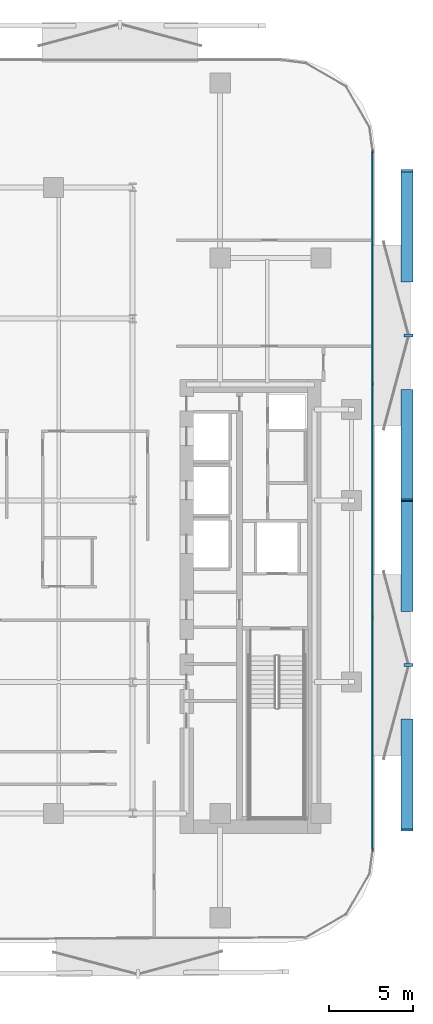
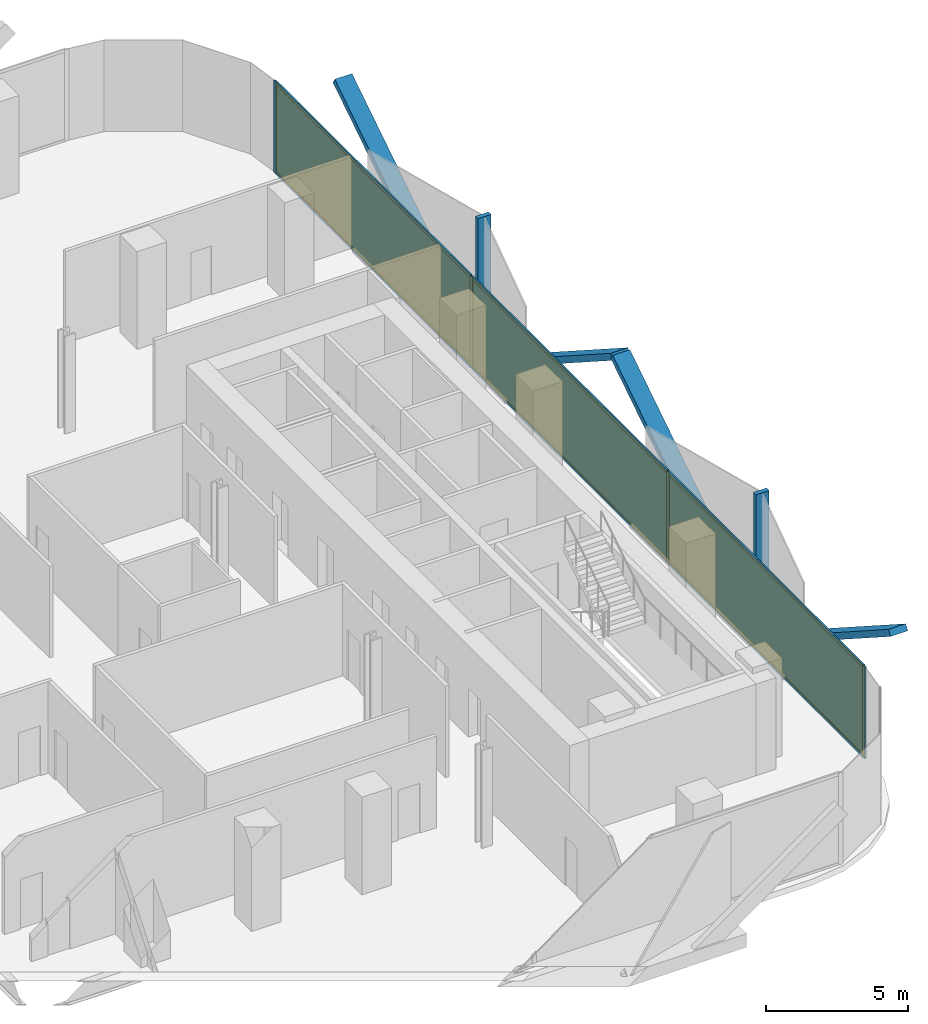
# One storey, part 9 of 15: 16 members, 3 plates, 1 curtain wall.
"""IFC4 building model written with IfcOpenShell, lengths in metres."""

from ifc_helpers import new_model, si_unit, direction, frame, frame_2d, origin, origin_2d, place, context, subcontext, project, spatial, rectangle, extrude, material, layer, layer_set, material_profile, profile_set, type_object, element, aggregate, save


model = new_model("IFC4")

# Units and contexts
model_context = context("Model", 3, precision=1e-05, world=origin(), true_north=direction((0.0, 1.0)))
body_context = subcontext(model_context, "Body", "Model", "MODEL_VIEW")
ifc_project = project(units=[si_unit("LENGTHUNIT", "METRE"), si_unit("AREAUNIT", "SQUARE_METRE"), si_unit("VOLUMEUNIT", "CUBIC_METRE"), si_unit("PLANEANGLEUNIT", "RADIAN"), si_unit("MASSUNIT", "GRAM", prefix="KILO")], contexts=[model_context])

# Member
ifc_material_1 = material(Name="Anodised Bronze Aluminium 6063-T6", Category="aluminium")
ifc_material_profile_1 = material_profile(ifc_material_1, rectangle(XDim=0.260009765625, YDim=0.699951171875, at=origin_2d()))
ifc_profile_set_1 = profile_set([ifc_material_profile_1], Name="Anodised Bronze Aluminium 6063-T6")
member_type_1 = type_object("IfcMemberType", Name="Bronze Diamond Solar-Screen Lattice Rib BDL-700", PredefinedType="MULLION", material=ifc_profile_set_1)
site_placement = place(None, origin())
building_placement = place(site_placement, origin())
storey_placement = place(building_placement, frame((0.0, 0.0, 114.199951171875)))
member_1_placement = place(storey_placement, frame((25.5, 6.5302734375, -0.1298828125), z_axis=(0.0, -0.841066075866, 0.540932395062), x_axis=(0.0, -0.540932395062, -0.841066075866)))
member_1 = element("IfcMember", 1, at=member_1_placement, type_object=member_type_1, Name="L26 Bronze Diamond Solar Screen Lattice Rib 159A", PredefinedType="MULLION", context=body_context, shape_type="SweptSolid", body=[
    extrude(rectangle(XDim=0.260009765625, YDim=0.699951171875, at=origin_2d()), origin(), (0.0, 0.0, 1.0), 7.76416015625),
])

member_2_placement = place(storey_placement, frame((25.5, 13.060546875, -0.1298828125), z_axis=(0.0, 0.841066075866, 0.540932395062), x_axis=(0.0, 0.540932395062, -0.841066075866)))
member_2 = element("IfcMember", 2, at=member_2_placement, type_object=member_type_1, Name="L26 Bronze Diamond Solar Screen Lattice Rib 159B", PredefinedType="MULLION", context=body_context, shape_type="SweptSolid", body=[
    extrude(rectangle(XDim=0.260009765625, YDim=0.699951171875, at=origin_2d()), origin(), (0.0, 0.0, 1.0), 7.76416015625),
])

member_3_placement = place(storey_placement, frame((25.5, -13.060546875, -0.1298828125), z_axis=(0.0, -0.841066075866, 0.540932395062), x_axis=(0.0, -0.540932395062, -0.841066075866)))
member_3 = element("IfcMember", 3, at=member_3_placement, type_object=member_type_1, Name="L26 Bronze Diamond Solar Screen Lattice Rib 160A", PredefinedType="MULLION", context=body_context, shape_type="SweptSolid", body=[
    extrude(rectangle(XDim=0.260009765625, YDim=0.699951171875, at=origin_2d()), origin(), (0.0, 0.0, 1.0), 7.76416015625),
])

member_4_placement = place(storey_placement, frame((25.5, -6.5302734375, -0.1298828125), z_axis=(0.0, 0.841066075866, 0.540932395062), x_axis=(0.0, 0.540932395062, -0.841066075866)))
member_4 = element("IfcMember", 4, at=member_4_placement, type_object=member_type_1, Name="L26 Bronze Diamond Solar Screen Lattice Rib 160B", PredefinedType="MULLION", context=body_context, shape_type="SweptSolid", body=[
    extrude(rectangle(XDim=0.260009765625, YDim=0.699951171875, at=origin_2d()), origin(), (0.0, 0.0, 1.0), 7.76416015625),
])

ifc_material_2 = material(Name="Anodised Bronze Aluminium 6063-T6", Category="aluminium")
ifc_material_profile_2 = material_profile(ifc_material_2, rectangle(XDim=0.179931640625, YDim=0.5400390625, at=origin_2d()))
ifc_profile_set_2 = profile_set([ifc_material_profile_2], Name="Anodised Bronze Aluminium 6063-T6")
member_type_2 = type_object("IfcMemberType", Name="Bronze Solar-Screen Vertical Fold Fin BSF-540", PredefinedType="MULLION", material=ifc_profile_set_2)
member_5_placement = place(storey_placement, frame((25.580078125, 9.79541015625, -0.1298828125), z_axis=(0.0, 0.0, 1.0), x_axis=(0.0, -1.0, 0.0)))
member_5 = element("IfcMember", 5, at=member_5_placement, type_object=member_type_2, Name="L26 Bronze Solar Screen Vertical Fin 159", PredefinedType="MULLION", context=body_context, shape_type="SweptSolid", body=[
    extrude(rectangle(XDim=0.179931640625, YDim=0.5400390625, at=origin_2d()), origin(), (0.0, 0.0, 1.0), 4.199951171875),
])

member_6_placement = place(storey_placement, frame((25.580078125, -9.79541015625, -0.1298828125), z_axis=(0.0, 0.0, 1.0), x_axis=(0.0, -1.0, 0.0)))
member_6 = element("IfcMember", 6, at=member_6_placement, type_object=member_type_2, Name="L26 Bronze Solar Screen Vertical Fin 160", PredefinedType="MULLION", context=body_context, shape_type="SweptSolid", body=[
    extrude(rectangle(XDim=0.179931640625, YDim=0.5400390625, at=origin_2d()), origin(), (0.0, 0.0, 1.0), 4.199951171875),
])

ifc_material_3 = material(Name="Anodised Bronze Aluminium 6063-T6", Category="aluminium")
ifc_material_profile_3 = material_profile(ifc_material_3, rectangle(XDim=0.06494140625, YDim=0.175048828125, at=origin_2d()))
ifc_profile_set_3 = profile_set([ifc_material_profile_3], Name="Anodised Bronze Aluminium 6063-T6")
member_type_3 = type_object("IfcMemberType", Name="CW-Z2 Mullion 65x175", PredefinedType="MULLION", material=ifc_profile_set_3)
member_7_placement = place(storey_placement, frame((23.4599609375, 20.75830078125, 0.0), z_axis=(0.0, 0.0, 1.0), x_axis=(1.0, 0.0, 0.0)))
member_7 = element("IfcMember", 7, at=member_7_placement, type_object=member_type_3, Name="CW-Z2 mullion 1", PredefinedType="MULLION", context=body_context, shape_type="SweptSolid", body=[
    extrude(rectangle(XDim=0.06494140625, YDim=0.175048828125, at=origin_2d()), origin(), (0.0, 0.0, 1.0), 3.93994140625),
])

member_8_placement = place(storey_placement, frame((23.4599609375, 6.93017578125, 0.0), z_axis=(0.0, 0.0, 1.0), x_axis=(1.0, 0.0, 0.0)))
member_8 = element("IfcMember", 8, at=member_8_placement, type_object=member_type_3, Name="CW-Z2 mullion 2", PredefinedType="MULLION", context=body_context, shape_type="SweptSolid", body=[
    extrude(rectangle(XDim=0.06494140625, YDim=0.175048828125, at=origin_2d()), origin(), (0.0, 0.0, 1.0), 3.93994140625),
])

member_9_placement = place(storey_placement, frame((23.4599609375, -6.93017578125, 0.0), z_axis=(0.0, 0.0, 1.0), x_axis=(1.0, 0.0, 0.0)))
member_9 = element("IfcMember", 9, at=member_9_placement, type_object=member_type_3, Name="CW-Z2 mullion 3", PredefinedType="MULLION", context=body_context, shape_type="SweptSolid", body=[
    extrude(rectangle(XDim=0.06494140625, YDim=0.175048828125, at=origin_2d()), origin(), (0.0, 0.0, 1.0), 3.93994140625),
])

member_10_placement = place(storey_placement, frame((23.4599609375, -20.75830078125, 0.0), z_axis=(0.0, 0.0, 1.0), x_axis=(1.0, 0.0, 0.0)))
member_10 = element("IfcMember", 10, at=member_10_placement, type_object=member_type_3, Name="CW-Z2 mullion 4", PredefinedType="MULLION", context=body_context, shape_type="SweptSolid", body=[
    extrude(rectangle(XDim=0.06494140625, YDim=0.175048828125, at=origin_2d()), origin(), (0.0, 0.0, 1.0), 3.93994140625),
])

ifc_material_4 = material(Name="Anodised Bronze Aluminium 6063-T6", Category="aluminium")
ifc_material_profile_4 = material_profile(ifc_material_4, rectangle(XDim=0.06494140625, YDim=0.135009765625, at=origin_2d()))
ifc_profile_set_4 = profile_set([ifc_material_profile_4], Name="Anodised Bronze Aluminium 6063-T6")
member_type_4 = type_object("IfcMemberType", Name="CW-Z2 Transom 65x135", PredefinedType="USERDEFINED", material=ifc_profile_set_4)
member_11_placement = place(storey_placement, frame((23.4599609375, 20.725830078125, 0.032470703125), z_axis=(0.0, -1.0, 0.0), x_axis=(1.0, 0.0, 0.0)))
member_11 = element("IfcMember", 11, at=member_11_placement, type_object=member_type_4, Name="CW-Z2 transom 1.1", ObjectType="TRANSOM", PredefinedType="USERDEFINED", context=body_context, shape_type="SweptSolid", body=[
    extrude(rectangle(XDim=0.06494140625, YDim=0.135009765625, at=origin_2d()), origin(), (0.0, 0.0, 1.0), 13.76318359375),
])

member_12_placement = place(storey_placement, frame((23.4599609375, 20.725830078125, 3.907470703125), z_axis=(0.0, -1.0, 0.0), x_axis=(1.0, 0.0, 0.0)))
member_12 = element("IfcMember", 12, at=member_12_placement, type_object=member_type_4, Name="CW-Z2 transom 1.2", ObjectType="TRANSOM", PredefinedType="USERDEFINED", context=body_context, shape_type="SweptSolid", body=[
    extrude(rectangle(XDim=0.06494140625, YDim=0.135009765625, at=origin_2d()), origin(), (0.0, 0.0, 1.0), 13.76318359375),
])

member_13_placement = place(storey_placement, frame((23.4599609375, 6.897705078125, 0.032470703125), z_axis=(0.0, -1.0, 0.0), x_axis=(1.0, 0.0, 0.0)))
member_13 = element("IfcMember", 13, at=member_13_placement, type_object=member_type_4, Name="CW-Z2 transom 2.1", ObjectType="TRANSOM", PredefinedType="USERDEFINED", context=body_context, shape_type="SweptSolid", body=[
    extrude(rectangle(XDim=0.06494140625, YDim=0.135009765625, at=origin_2d()), origin(), (0.0, 0.0, 1.0), 13.79541015625),
])

member_14_placement = place(storey_placement, frame((23.4599609375, 6.897705078125, 3.907470703125), z_axis=(0.0, -1.0, 0.0), x_axis=(1.0, 0.0, 0.0)))
member_14 = element("IfcMember", 14, at=member_14_placement, type_object=member_type_4, Name="CW-Z2 transom 2.2", ObjectType="TRANSOM", PredefinedType="USERDEFINED", context=body_context, shape_type="SweptSolid", body=[
    extrude(rectangle(XDim=0.06494140625, YDim=0.135009765625, at=origin_2d()), origin(), (0.0, 0.0, 1.0), 13.79541015625),
])

member_15_placement = place(storey_placement, frame((23.4599609375, -6.962646484375, 0.032470703125), z_axis=(0.0, -1.0, 0.0), x_axis=(1.0, 0.0, 0.0)))
member_15 = element("IfcMember", 15, at=member_15_placement, type_object=member_type_4, Name="CW-Z2 transom 3.1", ObjectType="TRANSOM", PredefinedType="USERDEFINED", context=body_context, shape_type="SweptSolid", body=[
    extrude(rectangle(XDim=0.06494140625, YDim=0.135009765625, at=origin_2d()), origin(), (0.0, 0.0, 1.0), 13.76318359375),
])

member_16_placement = place(storey_placement, frame((23.4599609375, -6.962646484375, 3.907470703125), z_axis=(0.0, -1.0, 0.0), x_axis=(1.0, 0.0, 0.0)))
member_16 = element("IfcMember", 16, at=member_16_placement, type_object=member_type_4, Name="CW-Z2 transom 3.2", ObjectType="TRANSOM", PredefinedType="USERDEFINED", context=body_context, shape_type="SweptSolid", body=[
    extrude(rectangle(XDim=0.06494140625, YDim=0.135009765625, at=origin_2d()), origin(), (0.0, 0.0, 1.0), 13.76318359375),
])

# Plate
ifc_material_5 = material(Name="Low-E Solar Control Laminated Glass", Category="glass")
ifc_layer_1 = layer(ifc_material_5, 0.028076171875, Name="Low-E Solar Control Laminated Glass")
ifc_layer_set_1 = layer_set([ifc_layer_1], Name="Low-E Solar Control Laminated Glass")
plate_type = type_object("IfcPlateType", Name="CW-Z2 Low-E Double Glazed Panel 28mm", PredefinedType="CURTAIN_PANEL", material=ifc_layer_set_1)
plate_1_placement = place(storey_placement, frame((23.4599609375, 13.84423828125, 0.06494140625), z_axis=(0.0, 0.0, 1.0), x_axis=(0.0, -1.0, 0.0)))
plate_1 = element("IfcPlate", 17, at=plate_1_placement, type_object=plate_type, Name="CW-Z2 panel 1.1", PredefinedType="CURTAIN_PANEL", context=body_context, shape_type="SweptSolid", body=[
    extrude(rectangle(XDim=13.762939453125, YDim=0.028076171875, at=origin_2d()), origin(), (0.0, 0.0, 1.0), 3.81005859375),
])

plate_2_placement = place(storey_placement, frame((23.4599609375, 0.0, 0.06494140625), z_axis=(0.0, 0.0, 1.0), x_axis=(0.0, -1.0, 0.0)))
plate_2 = element("IfcPlate", 18, at=plate_2_placement, type_object=plate_type, Name="CW-Z2 panel 2.1", PredefinedType="CURTAIN_PANEL", context=body_context, shape_type="SweptSolid", body=[
    extrude(rectangle(XDim=13.795654296875, YDim=0.028076171875, at=origin_2d()), origin(), (0.0, 0.0, 1.0), 3.81005859375),
])

plate_3_placement = place(storey_placement, frame((23.4599609375, -13.84423828125, 0.06494140625), z_axis=(0.0, 0.0, 1.0), x_axis=(0.0, -1.0, 0.0)))
plate_3 = element("IfcPlate", 19, at=plate_3_placement, type_object=plate_type, Name="CW-Z2 panel 3.1", PredefinedType="CURTAIN_PANEL", context=body_context, shape_type="SweptSolid", body=[
    extrude(rectangle(XDim=13.762939453125, YDim=0.028076171875, at=origin_2d()), origin(), (0.0, 0.0, 1.0), 3.81005859375),
])

# Site, building, storey
site = spatial("IfcSite", under=ifc_project, at=site_placement, CompositionType="ELEMENT")
building = spatial("IfcBuilding", under=site, at=building_placement, Name="Khairoan Windgate Tower", CompositionType="ELEMENT")
storey = spatial("IfcBuildingStorey", under=building, at=storey_placement, Name="L26", CompositionType="ELEMENT", Elevation=114.199951171875)

# Curtain wall
ifc_material_6 = material(Name="Anodised Bronze Aluminium 6063-T6", Category="aluminium")
ifc_layer_2 = layer(ifc_material_6, 0.175048828125, Name="Anodised Bronze Aluminium 6063-T6")
ifc_layer_set_2 = layer_set([ifc_layer_2], Name="Anodised Bronze Aluminium 6063-T6")
curtain_wall_type = type_object("IfcCurtainWallType", Name="Mid-Rise Office Unitised Curtain Wall CW-Z2", PredefinedType="NOTDEFINED", material=ifc_layer_set_2)
curtain_wall_placement = place(storey_placement, frame((23.4599609375, 20.790771484375, 0.0), z_axis=(0.0, 0.0, 1.0), x_axis=(0.0, -1.0, 0.0)))
curtain_wall = element("IfcCurtainWall", 20, at=curtain_wall_placement, inside=storey, type_object=curtain_wall_type, Name="L26 Unitised Curtain Wall 16", PredefinedType="NOTDEFINED", context=body_context, shape_type="SweptSolid", body=[
    extrude(rectangle(XDim=41.58154296875, YDim=0.010009765625, at=frame_2d((20.790771484375, 0.0))), origin(), (0.0, 0.0, 1.0), 3.93994140625),
])

aggregate(curtain_wall, [member_7, member_8, member_9, member_10, member_11, member_12, plate_1, member_13, member_14, plate_2, member_15, member_16, plate_3, member_1, member_2, member_5, member_3, member_4, member_6])

save(model, "model.ifc")
